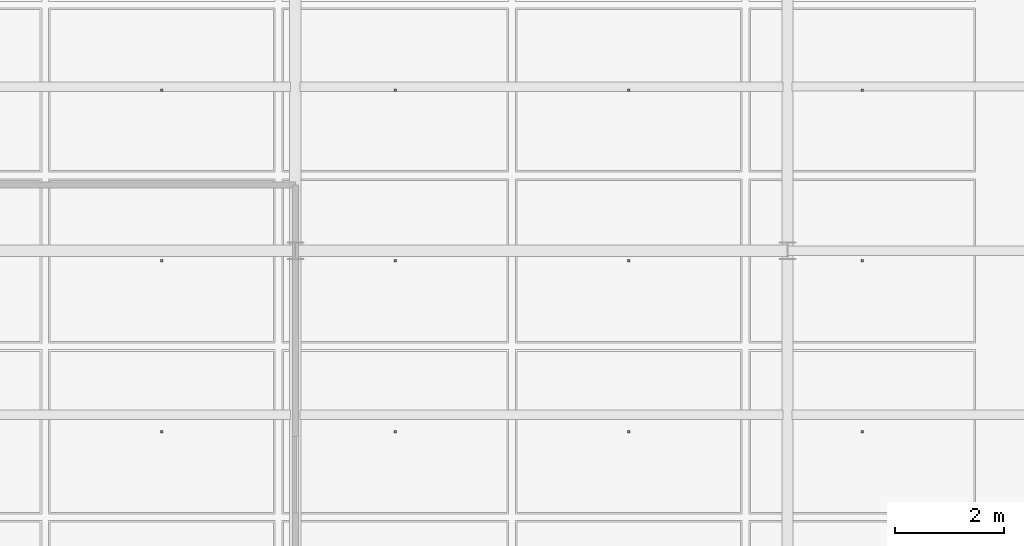
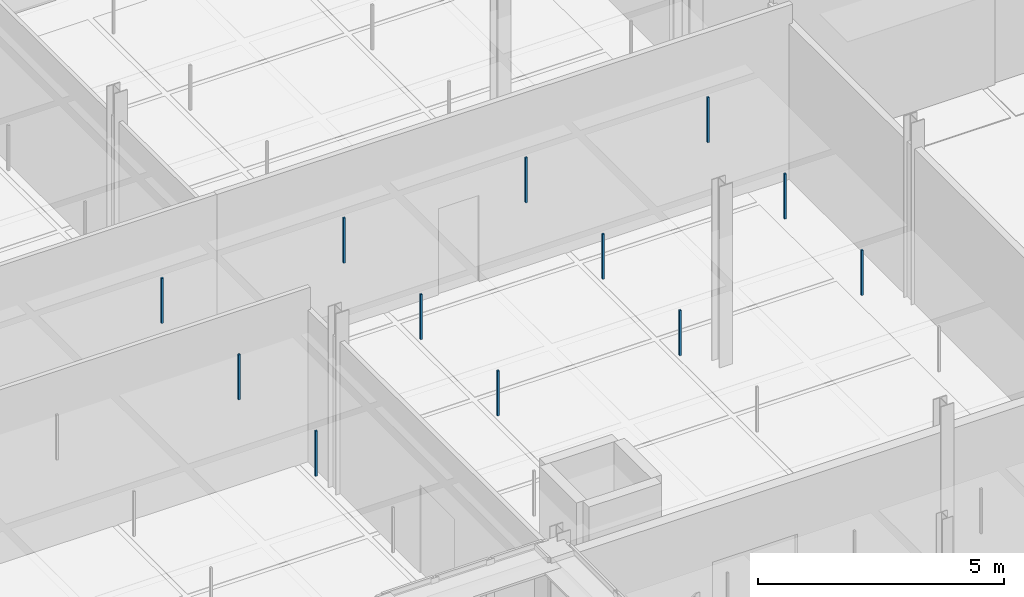
# One storey, part 100 of 130: 12 discrete accessories.
"""IFC4 building model written with IfcOpenShell, lengths in metres."""

from ifc_helpers import new_model, si_unit, direction, frame, origin, origin_2d, place, context, subcontext, project, spatial, rectangle, extrude, material, type_object, element, save


model = new_model("IFC4")

# Units and contexts
model_context = context("Model", 3, precision=1e-05, world=origin(), true_north=direction((0.0, 1.0)))
body_context = subcontext(model_context, "Body", "Model", "MODEL_VIEW")
ifc_project = project(units=[si_unit("LENGTHUNIT", "METRE"), si_unit("AREAUNIT", "SQUARE_METRE"), si_unit("VOLUMEUNIT", "CUBIC_METRE"), si_unit("PLANEANGLEUNIT", "RADIAN"), si_unit("MASSUNIT", "GRAM", prefix="KILO"), si_unit("THERMODYNAMICTEMPERATUREUNIT", "KELVIN"), si_unit("POWERUNIT", "WATT")], contexts=[model_context])

# Site, building, storey
site_placement = place(None, origin())
site = spatial("IfcSite", under=ifc_project, at=site_placement, CompositionType="ELEMENT")
building_placement = place(site_placement, origin())
building = spatial("IfcBuilding", under=site, at=building_placement, Name="Tallowbark Science Centre", CompositionType="ELEMENT")
storey_placement = place(building_placement, frame((0.0, 0.0, 5.39990234375)))
storey = spatial("IfcBuildingStorey", under=building, at=storey_placement, Name="L01", CompositionType="ELEMENT", Elevation=5.39990234375)

# Discrete accessories
ifc_material = material(Name="Galvanised Steel Grade C350L0 (350 MPa)", Category="steel")
discrete_accessory_type = type_object("IfcDiscreteAccessoryType", Name="ACC-CLG-HNG", PredefinedType="BRACKET", material=ifc_material)
for number, where, z_axis, x_axis, name in (
    (1, (96.5576171875, 77.6875, 3.205078125), (0.0, 0.0, 1.0), (1.0, 0.0, 0.0), "Ceiling Hanger Bracket L01-656"),
    (2, (96.5576171875, 80.8125, 3.205078125), (0.0, 0.0, 1.0), (1.0, 0.0, 0.0), "Ceiling Hanger Bracket L01-657"),
    (3, (96.5576171875, 83.9375, 3.205078125), (0.0, 0.0, 1.0), (1.0, 0.0, 0.0), "Ceiling Hanger Bracket L01-658"),
    (4, (100.826904296875, 77.6875, 3.205078125), (0.0, 0.0, 1.0), (1.0, 0.0, 0.0), "Ceiling Hanger Bracket L01-664"),
    (5, (100.826904296875, 80.8125, 3.205078125), (0.0, 0.0, 1.0), (1.0, 0.0, 0.0), "Ceiling Hanger Bracket L01-665"),
    (6, (100.826904296875, 83.9375, 3.205078125), (0.0, 0.0, 1.0), (1.0, 0.0, 0.0), "Ceiling Hanger Bracket L01-666"),
    (7, (105.09619140625, 77.6875, 3.205078125), (0.0, 0.0, 1.0), (1.0, 0.0, 0.0), "Ceiling Hanger Bracket L01-672"),
    (8, (105.09619140625, 80.8125, 3.205078125), (0.0, 0.0, 1.0), (1.0, 0.0, 0.0), "Ceiling Hanger Bracket L01-673"),
    (9, (105.09619140625, 83.9375, 3.205078125), (0.0, 0.0, 1.0), (1.0, 0.0, 0.0), "Ceiling Hanger Bracket L01-674"),
    (10, (109.365478515625, 77.6875, 3.205078125), (0.0, 0.0, 1.0), (1.0, 0.0, 0.0), "Ceiling Hanger Bracket L01-680"),
    (11, (109.365478515625, 80.8125, 3.205078125), (0.0, 0.0, 1.0), (1.0, 0.0, 0.0), "Ceiling Hanger Bracket L01-681"),
    (12, (109.365478515625, 83.9375, 3.205078125), (0.0, 0.0, 1.0), (1.0, 0.0, 0.0), "Ceiling Hanger Bracket L01-682"),
):
    element("IfcDiscreteAccessory", number, at=place(storey_placement, frame(where, z_axis=z_axis, x_axis=x_axis)), inside=storey, type_object=discrete_accessory_type, Name=name, PredefinedType="BRACKET", context=body_context, shape_type="SweptSolid", body=[
        extrude(rectangle(XDim=0.044921875, YDim=0.044921875, at=origin_2d()), origin(), (0.0, 0.0, 1.0), 1.117919921875),
    ])

save(model, "model.ifc")
